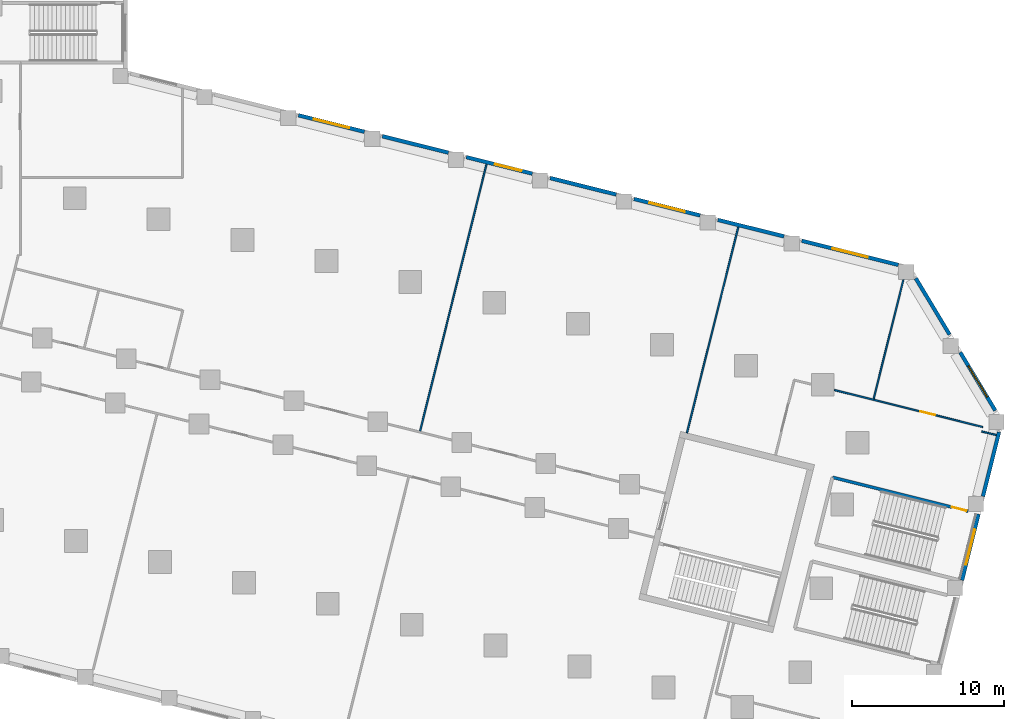
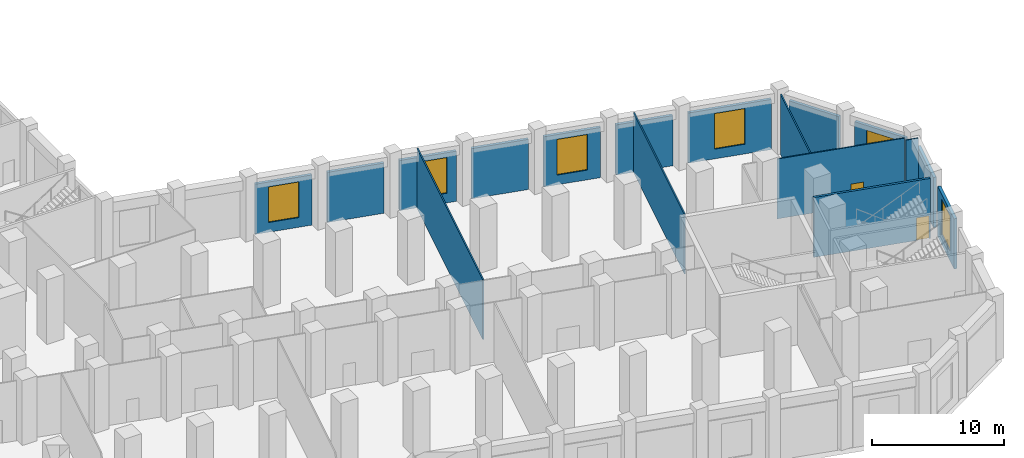
# One storey, part 7 of 15: 17 walls, 6 windows, 2 doors, 8 openings.
"""IFC4 building model written with IfcOpenShell, lengths in metres."""

from ifc_helpers import new_model, si_unit, direction, frame, frame_2d, origin, place, context, subcontext, project, spatial, rectangle, extrude, material, layer, layer_set, type_object, element, fill, save


model = new_model("IFC4")

# Units and contexts
model_context = context("Model", 3, precision=1e-05, world=origin(), true_north=direction((0.0, 1.0)))
body_context = subcontext(model_context, "Body", "Model", "MODEL_VIEW")
ifc_project = project(units=[si_unit("LENGTHUNIT", "METRE"), si_unit("AREAUNIT", "SQUARE_METRE"), si_unit("VOLUMEUNIT", "CUBIC_METRE"), si_unit("PLANEANGLEUNIT", "RADIAN"), si_unit("MASSUNIT", "GRAM", prefix="KILO")], contexts=[model_context])

# Site, building, storey
site_placement = place(None, origin())
site = spatial("IfcSite", under=ifc_project, at=site_placement, CompositionType="ELEMENT")
building_placement = place(site_placement, origin())
building = spatial("IfcBuilding", under=site, at=building_placement, Name="Meshkara Civic Tower", CompositionType="ELEMENT")
storey_placement = place(building_placement, frame((0.0, 0.0, 12.60009765625)))
storey = spatial("IfcBuildingStorey", under=building, at=storey_placement, Name="L02", CompositionType="ELEMENT", Elevation=12.60009765625)

# Wall, opening, door
ifc_material_1 = material(Name="Corridor wall 100")
ifc_layer_1 = layer(ifc_material_1, 0.10009765625)
ifc_layer_set_1 = layer_set([ifc_layer_1], Name="Corridor wall 100")
wall_type_1 = type_object("IfcWallType", Name="Corridor wall 100", PredefinedType="PARTITIONING", material=ifc_layer_set_1)
wall_1_placement = place(storey_placement, frame((88.9560546875, 0.699951171875, 0.0), z_axis=(0.0, 0.0, 1.0), x_axis=(0.970310450884, -0.241862830763, 0.0)))
wall_1 = element("IfcWall", 1, at=wall_1_placement, inside=storey, type_object=wall_type_1, Name="L02-R075", PredefinedType="PARTITIONING", context=body_context, shape_type="SweptSolid", body=[
    extrude(rectangle(XDim=10.075927734375, YDim=0.10009765625, at=frame_2d((5.0380859375, 0.0))), origin(), (0.0, 0.0, 1.0), 5.5498046875),
])
opening_1_placement = place(wall_1_placement, frame((5.8349609375, 0.0, 0.0)))
opening_1 = element("IfcOpeningElement", 2, at=opening_1_placement, cuts=wall_1, Name="Opening L02-P013", PredefinedType="OPENING", context=body_context, shape_type="SweptSolid", body=[
    extrude(rectangle(XDim=1.0, YDim=2.10009765625, at=frame_2d((0.5, 1.050048828125))), frame((0.0, 0.06005859375, 0.0), z_axis=(0.0, -1.0, 0.0), x_axis=(1.0, 0.0, 0.0)), (0.0, 0.0, 1.0), 0.1201171875),
])
ifc_material_2 = material(Name="Door 1000 x 2100")
door_type = type_object("IfcDoorType", Name="Door 1000 x 2100", OperationType="SINGLE_SWING_LEFT", PredefinedType="DOOR", material=ifc_material_2)
door_1_placement = place(opening_1_placement, origin())
door_1 = element("IfcDoor", 3, at=door_1_placement, inside=storey, type_object=door_type, Name="L02-P013", OperationType="SINGLE_SWING_RIGHT", OverallHeight=2.10009765625, OverallWidth=1.0, PredefinedType="DOOR", context=body_context, shape_type="SweptSolid", body=[
    extrude(rectangle(XDim=1.0, YDim=2.10009765625, at=frame_2d((0.5, 1.050048828125))), frame((0.0, 0.02490234375, 0.0), z_axis=(0.0, -1.0, 0.0), x_axis=(1.0, 0.0, 0.0)), (0.0, 0.0, 1.0), 0.050048828125),
])
fill(opening_1, door_1)

# Wall
wall_2_placement = place(storey_placement, frame((99.63037109375, -2.27001953125, 0.0), z_axis=(0.0, 0.0, 1.0), x_axis=(-0.970300241929, 0.241903783585, 0.0)))
element("IfcWall", 4, at=wall_2_placement, inside=storey, type_object=wall_type_1, Name="L02-R078", PredefinedType="PARTITIONING", context=body_context, shape_type="SweptSolid", body=[
    extrude(rectangle(XDim=1.000244140625, YDim=0.10009765625, at=frame_2d((0.5, 0.0))), origin(), (0.0, 0.0, 1.0), 5.5498046875),
])

# Wall, opening, window
ifc_material_3 = material(Name="Stone cladding on insulated backing wall", Category="masonry")
ifc_layer_2 = layer(ifc_material_3, 0.25)
ifc_layer_set_2 = layer_set([ifc_layer_2], Name="PODIUM STONE WALL 250")
wall_type_2 = type_object("IfcWallType", Name="PODIUM STONE WALL 250", PredefinedType="SOLIDWALL", material=ifc_layer_set_2)
wall_3_placement = place(storey_placement, frame((97.373046875, -11.837890625, 0.0), z_axis=(0.0, 0.0, 1.0), x_axis=(0.241946839653, 0.970289506684, 0.0)))
wall_3 = element("IfcWall", 5, at=wall_3_placement, inside=storey, type_object=wall_type_2, Name="Podium external wall", PredefinedType="SOLIDWALL", context=body_context, shape_type="SweptSolid", body=[
    extrude(rectangle(XDim=4.48828125, YDim=0.25, at=frame_2d((2.244140625, 0.0))), origin(), (0.0, 0.0, 1.0), 4.64990234375),
])
opening_2_placement = place(wall_3_placement, frame((1.0439453125, 0.0, 0.89990234375)))
opening_2 = element("IfcOpeningElement", 6, at=opening_2_placement, cuts=wall_3, Name="Opening PW7", PredefinedType="OPENING", context=body_context, shape_type="SweptSolid", body=[
    extrude(rectangle(XDim=2.39990234375, YDim=3.300048828125, at=frame_2d((1.199951171875, 1.64990234375))), frame((0.0, 0.135009765625, 0.0), z_axis=(0.0, -1.0, 0.0), x_axis=(1.0, 0.0, 0.0)), (0.0, 0.0, 1.0), 0.27001953125),
])
ifc_material_4 = material(Name="Tinted double glazing", Category="glass")
window_type_1 = type_object("IfcWindowType", Name="PODIUM WINDOW 2400x3300", PartitioningType="DOUBLE_PANEL_VERTICAL", PredefinedType="WINDOW", material=ifc_material_4)
window_1_placement = place(opening_2_placement, origin())
window_1 = element("IfcWindow", 7, at=window_1_placement, inside=storey, type_object=window_type_1, Name="Podium window", OverallHeight=3.300048828125, OverallWidth=2.39990234375, PartitioningType="DOUBLE_PANEL_VERTICAL", PredefinedType="WINDOW", context=body_context, shape_type="SweptSolid", body=[
    extrude(rectangle(XDim=2.39990234375, YDim=3.300048828125, at=frame_2d((1.199951171875, 1.64990234375))), frame((0.0, 0.030029296875, 0.0), z_axis=(0.0, -1.0, 0.0), x_axis=(1.0, 0.0, 0.0)), (0.0, 0.0, 1.0), 0.06005859375),
])
fill(opening_2, window_1)

# Wall
wall_4_placement = place(storey_placement, frame((98.7529296875, -6.306884765625, 0.0), z_axis=(0.0, 0.0, 1.0), x_axis=(0.241823818975, 0.97032017426, 0.0)))
element("IfcWall", 8, at=wall_4_placement, inside=storey, type_object=wall_type_2, Name="Podium external wall", PredefinedType="SOLIDWALL", context=body_context, shape_type="SweptSolid", body=[
    extrude(rectangle(XDim=4.3583984375, YDim=0.25, at=frame_2d((2.17919921875, 0.0))), origin(), (0.0, 0.0, 1.0), 4.64990234375),
])

# Wall, opening, window
wall_5_placement = place(storey_placement, frame((99.56298828125, -0.655029296875, 0.0), z_axis=(0.0, 0.0, 1.0), x_axis=(-0.515145569797, 0.857102702083, 0.0)))
wall_5 = element("IfcWall", 9, at=wall_5_placement, inside=storey, type_object=wall_type_2, Name="Podium external wall", PredefinedType="SOLIDWALL", context=body_context, shape_type="SweptSolid", body=[
    extrude(rectangle(XDim=4.474365234375, YDim=0.25, at=frame_2d((2.2373046875, 0.0))), origin(), (0.0, 0.0, 1.0), 4.64990234375),
])
opening_3_placement = place(wall_5_placement, frame((1.037109375, 0.0, 0.89990234375)))
opening_3 = element("IfcOpeningElement", 10, at=opening_3_placement, cuts=wall_5, Name="Opening PW7", PredefinedType="OPENING", context=body_context, shape_type="SweptSolid", body=[
    extrude(rectangle(XDim=2.39990234375, YDim=3.300048828125, at=frame_2d((1.199951171875, 1.64990234375))), frame((0.0, 0.135009765625, 0.0), z_axis=(0.0, -1.0, 0.0), x_axis=(1.0, 0.0, 0.0)), (0.0, 0.0, 1.0), 0.27001953125),
])
window_2_placement = place(opening_3_placement, origin())
window_2 = element("IfcWindow", 11, at=window_2_placement, inside=storey, type_object=window_type_1, Name="Podium window", OverallHeight=3.300048828125, OverallWidth=2.39990234375, PartitioningType="DOUBLE_PANEL_VERTICAL", PredefinedType="WINDOW", context=body_context, shape_type="SweptSolid", body=[
    extrude(rectangle(XDim=2.39990234375, YDim=3.300048828125, at=frame_2d((1.199951171875, 1.64990234375))), frame((0.0, 0.030029296875, 0.0), z_axis=(0.0, -1.0, 0.0), x_axis=(1.0, 0.0, 0.0)), (0.0, 0.0, 1.0), 0.06005859375),
])
fill(opening_3, window_2)

# Wall
wall_6_placement = place(storey_placement, frame((96.552001953125, 4.35595703125, 0.0), z_axis=(0.0, 0.0, 1.0), x_axis=(-0.51527536796, 0.857024675942, 0.0)))
element("IfcWall", 12, at=wall_6_placement, inside=storey, type_object=wall_type_2, Name="Podium external wall", PredefinedType="SOLIDWALL", context=body_context, shape_type="SweptSolid", body=[
    extrude(rectangle(XDim=4.32763671875, YDim=0.25, at=frame_2d((2.163818359375, 0.0))), origin(), (0.0, 0.0, 1.0), 4.64990234375),
])

# Wall, opening, window
wall_7_placement = place(storey_placement, frame((93.180908203125, 8.947021484375, 0.0), z_axis=(0.0, 0.0, 1.0), x_axis=(-0.970262712144, 0.242054269584, 0.0)))
wall_7 = element("IfcWall", 13, at=wall_7_placement, inside=storey, type_object=wall_type_2, Name="Podium external wall", PredefinedType="SOLIDWALL", context=body_context, shape_type="SweptSolid", body=[
    extrude(rectangle(XDim=6.564208984375, YDim=0.25, at=frame_2d((3.2822265625, 0.0))), origin(), (0.0, 0.0, 1.0), 4.64990234375),
])
opening_4_placement = place(wall_7_placement, frame((2.08203125, 0.0, 0.89990234375)))
opening_4 = element("IfcOpeningElement", 14, at=opening_4_placement, cuts=wall_7, Name="Opening PW7", PredefinedType="OPENING", context=body_context, shape_type="SweptSolid", body=[
    extrude(rectangle(XDim=2.39990234375, YDim=3.300048828125, at=frame_2d((1.199951171875, 1.64990234375))), frame((0.0, 0.135009765625, 0.0), z_axis=(0.0, -1.0, 0.0), x_axis=(1.0, 0.0, 0.0)), (0.0, 0.0, 1.0), 0.27001953125),
])
window_3_placement = place(opening_4_placement, origin())
window_3 = element("IfcWindow", 15, at=window_3_placement, inside=storey, type_object=window_type_1, Name="Podium window", OverallHeight=3.300048828125, OverallWidth=2.39990234375, PartitioningType="DOUBLE_PANEL_VERTICAL", PredefinedType="WINDOW", context=body_context, shape_type="SweptSolid", body=[
    extrude(rectangle(XDim=2.39990234375, YDim=3.300048828125, at=frame_2d((1.199951171875, 1.64990234375))), frame((0.0, 0.030029296875, 0.0), z_axis=(0.0, -1.0, 0.0), x_axis=(1.0, 0.0, 0.0)), (0.0, 0.0, 1.0), 0.06005859375),
])
fill(opening_4, window_3)

# Wall
wall_8_placement = place(storey_placement, frame((85.635986328125, 10.8291015625, 0.0), z_axis=(0.0, 0.0, 1.0), x_axis=(-0.970327846266, 0.241793032904, 0.0)))
element("IfcWall", 16, at=wall_8_placement, inside=storey, type_object=wall_type_2, Name="Podium external wall", PredefinedType="SOLIDWALL", context=body_context, shape_type="SweptSolid", body=[
    extrude(rectangle(XDim=4.487060546875, YDim=0.25, at=frame_2d((2.24365234375, 0.0))), origin(), (0.0, 0.0, 1.0), 4.64990234375),
])

# Wall, opening, window
wall_9_placement = place(storey_placement, frame((80.10595703125, 12.2080078125, 0.0), z_axis=(0.0, 0.0, 1.0), x_axis=(-0.970289506684, 0.241946839653, 0.0)))
wall_9 = element("IfcWall", 17, at=wall_9_placement, inside=storey, type_object=wall_type_2, Name="Podium external wall", PredefinedType="SOLIDWALL", context=body_context, shape_type="SweptSolid", body=[
    extrude(rectangle(XDim=4.48828125, YDim=0.25, at=frame_2d((2.244140625, 0.0))), origin(), (0.0, 0.0, 1.0), 4.64990234375),
])
opening_5_placement = place(wall_9_placement, frame((1.0439453125, 0.0, 0.89990234375)))
opening_5 = element("IfcOpeningElement", 18, at=opening_5_placement, cuts=wall_9, Name="Opening PW7", PredefinedType="OPENING", context=body_context, shape_type="SweptSolid", body=[
    extrude(rectangle(XDim=2.39990234375, YDim=3.300048828125, at=frame_2d((1.199951171875, 1.64990234375))), frame((0.0, 0.135009765625, 0.0), z_axis=(0.0, -1.0, 0.0), x_axis=(1.0, 0.0, 0.0)), (0.0, 0.0, 1.0), 0.27001953125),
])
window_4_placement = place(opening_5_placement, origin())
window_4 = element("IfcWindow", 19, at=window_4_placement, inside=storey, type_object=window_type_1, Name="Podium window", OverallHeight=3.300048828125, OverallWidth=2.39990234375, PartitioningType="DOUBLE_PANEL_VERTICAL", PredefinedType="WINDOW", context=body_context, shape_type="SweptSolid", body=[
    extrude(rectangle(XDim=2.39990234375, YDim=3.300048828125, at=frame_2d((1.199951171875, 1.64990234375))), frame((0.0, 0.030029296875, 0.0), z_axis=(0.0, -1.0, 0.0), x_axis=(1.0, 0.0, 0.0)), (0.0, 0.0, 1.0), 0.06005859375),
])
fill(opening_5, window_4)

# Wall
wall_10_placement = place(storey_placement, frame((74.574951171875, 13.5869140625, 0.0), z_axis=(0.0, 0.0, 1.0), x_axis=(-0.970276735926, 0.241998049004, 0.0)))
element("IfcWall", 20, at=wall_10_placement, inside=storey, type_object=wall_type_2, Name="Podium external wall", PredefinedType="SOLIDWALL", context=body_context, shape_type="SweptSolid", body=[
    extrude(rectangle(XDim=4.48828125, YDim=0.25, at=frame_2d((2.244140625, 0.0))), origin(), (0.0, 0.0, 1.0), 4.64990234375),
])

# Wall, opening, window
wall_11_placement = place(storey_placement, frame((69.0439453125, 14.966064453125, 0.0), z_axis=(0.0, 0.0, 1.0), x_axis=(-0.970276766004, 0.241997928406, 0.0)))
wall_11 = element("IfcWall", 21, at=wall_11_placement, inside=storey, type_object=wall_type_2, Name="Podium external wall", PredefinedType="SOLIDWALL", context=body_context, shape_type="SweptSolid", body=[
    extrude(rectangle(XDim=4.4873046875, YDim=0.25, at=frame_2d((2.24365234375, 0.0))), origin(), (0.0, 0.0, 1.0), 4.64990234375),
])
opening_6_placement = place(wall_11_placement, frame((0.736083984375, 0.0, 0.89990234375)))
opening_6 = element("IfcOpeningElement", 22, at=opening_6_placement, cuts=wall_11, Name="Opening PW8", PredefinedType="OPENING", context=body_context, shape_type="SweptSolid", body=[
    extrude(rectangle(XDim=1.800048828125, YDim=3.300048828125, at=frame_2d((0.89990234375, 1.64990234375))), frame((0.0, 0.135009765625, 0.0), z_axis=(0.0, -1.0, 0.0), x_axis=(1.0, 0.0, 0.0)), (0.0, 0.0, 1.0), 0.27001953125),
])
ifc_material_5 = material(Name="Tinted double glazing", Category="glass")
window_type_2 = type_object("IfcWindowType", Name="PODIUM WINDOW 1800x3300", PartitioningType="DOUBLE_PANEL_VERTICAL", PredefinedType="WINDOW", material=ifc_material_5)
window_5_placement = place(opening_6_placement, origin())
window_5 = element("IfcWindow", 23, at=window_5_placement, inside=storey, type_object=window_type_2, Name="Podium window", OverallHeight=3.300048828125, OverallWidth=1.800048828125, PartitioningType="DOUBLE_PANEL_VERTICAL", PredefinedType="WINDOW", context=body_context, shape_type="SweptSolid", body=[
    extrude(rectangle(XDim=1.800048828125, YDim=3.300048828125, at=frame_2d((0.89990234375, 1.64990234375))), frame((0.0, 0.030029296875, 0.0), z_axis=(0.0, -1.0, 0.0), x_axis=(1.0, 0.0, 0.0)), (0.0, 0.0, 1.0), 0.06005859375),
])
fill(opening_6, window_5)

# Wall
wall_12_placement = place(storey_placement, frame((63.513916015625, 16.344970703125, 0.0), z_axis=(0.0, 0.0, 1.0), x_axis=(-0.970289506684, 0.241946839653, 0.0)))
element("IfcWall", 24, at=wall_12_placement, inside=storey, type_object=wall_type_2, Name="Podium external wall", PredefinedType="SOLIDWALL", context=body_context, shape_type="SweptSolid", body=[
    extrude(rectangle(XDim=4.48828125, YDim=0.25, at=frame_2d((2.244140625, 0.0))), origin(), (0.0, 0.0, 1.0), 4.64990234375),
])

# Wall, opening, window
wall_13_placement = place(storey_placement, frame((57.98291015625, 17.72412109375, 0.0), z_axis=(0.0, 0.0, 1.0), x_axis=(-0.970289506684, 0.241946839653, 0.0)))
wall_13 = element("IfcWall", 25, at=wall_13_placement, inside=storey, type_object=wall_type_2, Name="Podium external wall", PredefinedType="SOLIDWALL", context=body_context, shape_type="SweptSolid", body=[
    extrude(rectangle(XDim=4.48828125, YDim=0.25, at=frame_2d((2.244140625, 0.0))), origin(), (0.0, 0.0, 1.0), 4.64990234375),
])
opening_7_placement = place(wall_13_placement, frame((1.0439453125, 0.0, 0.89990234375)))
opening_7 = element("IfcOpeningElement", 26, at=opening_7_placement, cuts=wall_13, Name="Opening PW7", PredefinedType="OPENING", context=body_context, shape_type="SweptSolid", body=[
    extrude(rectangle(XDim=2.39990234375, YDim=3.300048828125, at=frame_2d((1.199951171875, 1.64990234375))), frame((0.0, 0.135009765625, 0.0), z_axis=(0.0, -1.0, 0.0), x_axis=(1.0, 0.0, 0.0)), (0.0, 0.0, 1.0), 0.27001953125),
])
window_6_placement = place(opening_7_placement, origin())
window_6 = element("IfcWindow", 27, at=window_6_placement, inside=storey, type_object=window_type_1, Name="Podium window", OverallHeight=3.300048828125, OverallWidth=2.39990234375, PartitioningType="DOUBLE_PANEL_VERTICAL", PredefinedType="WINDOW", context=body_context, shape_type="SweptSolid", body=[
    extrude(rectangle(XDim=2.39990234375, YDim=3.300048828125, at=frame_2d((1.199951171875, 1.64990234375))), frame((0.0, 0.030029296875, 0.0), z_axis=(0.0, -1.0, 0.0), x_axis=(1.0, 0.0, 0.0)), (0.0, 0.0, 1.0), 0.06005859375),
])
fill(opening_7, window_6)

# Walls
ifc_material_6 = material(Name="Partition 100")
ifc_layer_3 = layer(ifc_material_6, 0.10009765625)
ifc_layer_set_3 = layer_set([ifc_layer_3], Name="Partition 100")
wall_type_3 = type_object("IfcWallType", Name="Partition 100", PredefinedType="PARTITIONING", material=ifc_layer_set_3)
wall_14_placement = place(storey_placement, frame((61.64208984375, -2.02197265625, 0.0), z_axis=(0.0, 0.0, 1.0), x_axis=(0.24187722117, 0.97030686377, 0.0)))
element("IfcWall", 28, at=wall_14_placement, inside=storey, type_object=wall_type_3, Name="L02-R112", PredefinedType="PARTITIONING", context=body_context, shape_type="SweptSolid", body=[
    extrude(rectangle(XDim=18.149169921875, YDim=0.10009765625, at=frame_2d((9.07470703125, 0.0))), origin(), (0.0, 0.0, 1.0), 5.5498046875),
])
wall_15_placement = place(storey_placement, frame((79.238037109375, -2.133056640625, 0.0), z_axis=(0.0, 0.0, 1.0), x_axis=(0.241850296719, 0.970313575076, 0.0)))
element("IfcWall", 29, at=wall_15_placement, inside=storey, type_object=wall_type_3, Name="L02-R114", PredefinedType="PARTITIONING", context=body_context, shape_type="SweptSolid", body=[
    extrude(rectangle(XDim=13.999267578125, YDim=0.10009765625, at=frame_2d((6.99951171875, 0.0))), origin(), (0.0, 0.0, 1.0), 5.5498046875),
])
wall_16_placement = place(storey_placement, frame((91.544921875, 0.10693359375, 0.0), z_axis=(0.0, 0.0, 1.0), x_axis=(0.242003618955, 0.970275346699, 0.0)))
element("IfcWall", 30, at=wall_16_placement, inside=storey, type_object=wall_type_3, Name="L02-R115", PredefinedType="PARTITIONING", context=body_context, shape_type="SweptSolid", body=[
    extrude(rectangle(XDim=8.098876953125, YDim=0.10009765625, at=frame_2d((4.04931640625, 0.0))), origin(), (0.0, 0.0, 1.0), 5.5498046875),
])

# Wall, opening, door
ifc_material_7 = material(Name="Concrete C40/50", Category="concrete")
ifc_layer_4 = layer(ifc_material_7, 0.199951171875)
ifc_layer_set_4 = layer_set([ifc_layer_4], Name="Stair enclosure wall 200 C40/50")
wall_type_4 = type_object("IfcWallType", Name="Stair enclosure wall 200 C40/50", PredefinedType="SOLIDWALL", material=ifc_layer_set_4)
wall_17_placement = place(storey_placement, frame((88.8349609375, -5.055908203125, 0.0), z_axis=(0.0, 0.0, 1.0), x_axis=(0.97028891911, -0.241949196016, 0.0)))
wall_17 = element("IfcWall", 31, at=wall_17_placement, inside=storey, type_object=wall_type_4, Name="L02-R074", PredefinedType="SOLIDWALL", context=body_context, shape_type="SweptSolid", body=[
    extrude(rectangle(XDim=9.208740234375, YDim=0.199951171875, at=frame_2d((4.6044921875, 0.0))), origin(), (0.0, 0.0, 1.0), 5.5498046875),
])
opening_8_placement = place(wall_17_placement, frame((8.10009765625, 0.0, 0.0)))
opening_8 = element("IfcOpeningElement", 32, at=opening_8_placement, cuts=wall_17, Name="Opening L02-P004", PredefinedType="OPENING", context=body_context, shape_type="SweptSolid", body=[
    extrude(rectangle(XDim=1.0, YDim=2.10009765625, at=frame_2d((0.5, 1.050048828125))), frame((0.0, 0.10986328125, 0.0), z_axis=(0.0, -1.0, 0.0), x_axis=(1.0, 0.0, 0.0)), (0.0, 0.0, 1.0), 0.219970703125),
])
door_2_placement = place(opening_8_placement, origin())
door_2 = element("IfcDoor", 33, at=door_2_placement, inside=storey, type_object=door_type, Name="L02-P004", OperationType="SINGLE_SWING_LEFT", OverallHeight=2.10009765625, OverallWidth=1.0, PredefinedType="DOOR", context=body_context, shape_type="SweptSolid", body=[
    extrude(rectangle(XDim=1.0, YDim=2.10009765625, at=frame_2d((0.5, 1.050048828125))), frame((0.0, 0.02490234375, 0.0), z_axis=(0.0, -1.0, 0.0), x_axis=(1.0, 0.0, 0.0)), (0.0, 0.0, 1.0), 0.050048828125),
])
fill(opening_8, door_2)

save(model, "model.ifc")
